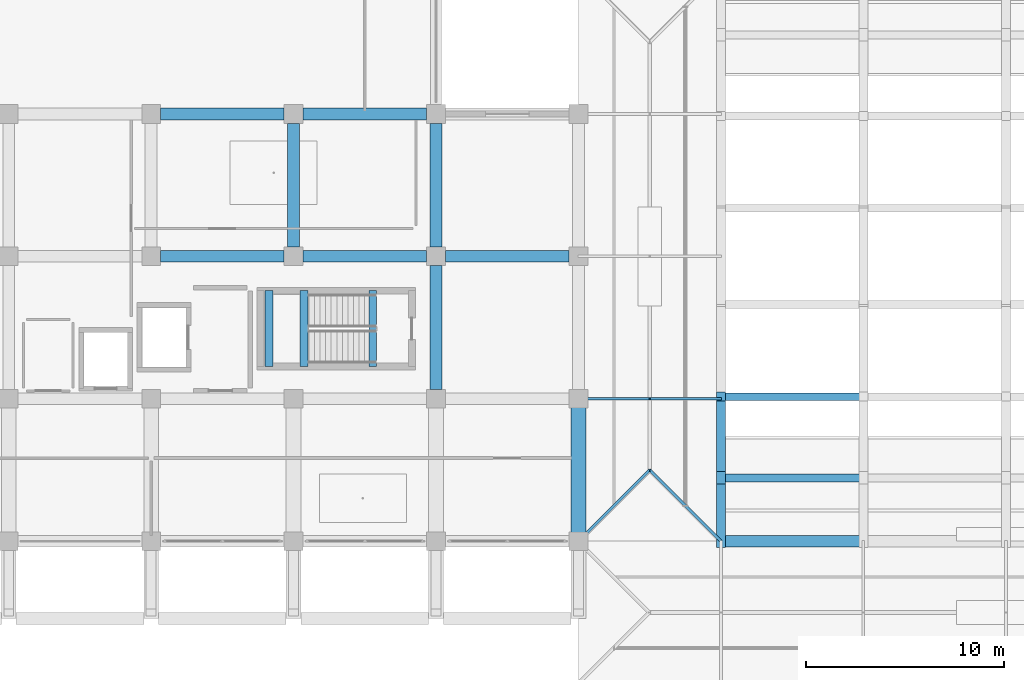
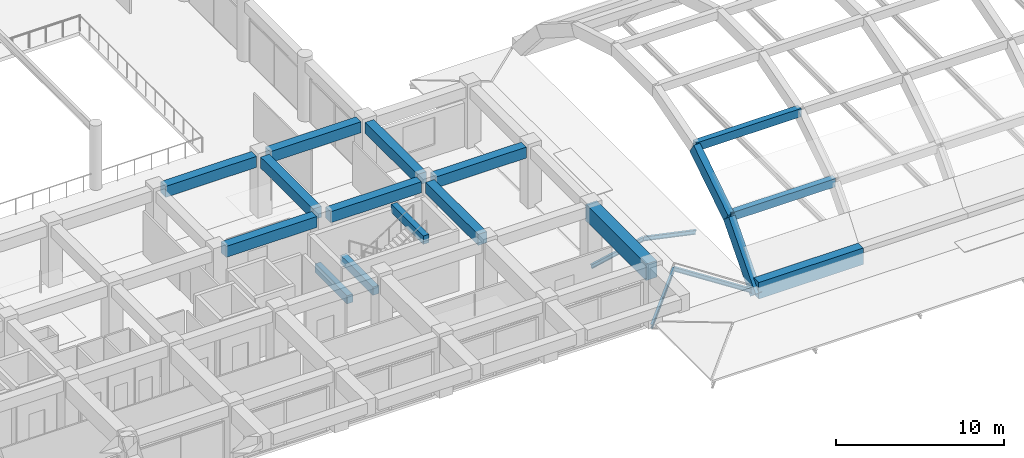
# One storey, part 19 of 54: 17 beams, 4 members.
"""IFC4 building model written with IfcOpenShell, lengths in metres."""

from ifc_helpers import new_model, si_unit, direction, frame, origin, origin_2d, place, context, subcontext, project, spatial, rectangle, i_section, extrude, material, material_profile, profile_set, type_object, element, save


model = new_model("IFC4")

# Units and contexts
model_context = context("Model", 3, precision=1e-05, world=origin(), true_north=direction((0.0, 1.0)))
body_context = subcontext(model_context, "Body", "Model", "MODEL_VIEW")
ifc_project = project(units=[si_unit("LENGTHUNIT", "METRE"), si_unit("AREAUNIT", "SQUARE_METRE"), si_unit("VOLUMEUNIT", "CUBIC_METRE"), si_unit("PLANEANGLEUNIT", "RADIAN"), si_unit("MASSUNIT", "GRAM", prefix="KILO")], contexts=[model_context])

# Site, building, storey
site_placement = place(None, origin())
site = spatial("IfcSite", under=ifc_project, at=site_placement, CompositionType="ELEMENT")
building_placement = place(site_placement, origin())
building = spatial("IfcBuilding", under=site, at=building_placement, Name="Kazehaya Institute of Natural Sciences", CompositionType="ELEMENT")
storey_placement = place(building_placement, frame((0.0, 0.0, 10.43994140625)))
storey = spatial("IfcBuildingStorey", under=building, at=storey_placement, Name="L02", CompositionType="ELEMENT", Elevation=10.43994140625)

# Beams
ifc_material_1 = material(Name="Concrete Fc36", Category="concrete")
ifc_material_profile_1 = material_profile(ifc_material_1, rectangle(XDim=0.449951171875, YDim=0.85009765625, at=origin_2d()), Name="RC-450x850")
ifc_profile_set_1 = profile_set([ifc_material_profile_1], Name="Concrete Fc36")
beam_type_1 = type_object("IfcBeamType", Name="BM-AR-450x850", PredefinedType="BEAM", material=ifc_profile_set_1)
beam_1_placement = place(storey_placement, frame((126.60009765625, 14.0, -0.429931640625), z_axis=(0.0, 0.659222645841, 0.751947806175), x_axis=(-1.0, 0.0, 0.0)))
element("IfcBeam", 1, at=beam_1_placement, inside=storey, type_object=beam_type_1, Name="SH-VOL1 transverse arch rib SH-VOL1-RIB-126-01", PredefinedType="BEAM", context=body_context, shape_type="SweptSolid", body=[
    extrude(rectangle(XDim=0.449951171875, YDim=0.85009765625, at=origin_2d()), origin(), (0.0, 0.0, 1.0), 4.8603515625),
])
beam_2_placement = place(storey_placement, frame((126.60009765625, 17.2041015625, 3.224853515625), z_axis=(0.0, 0.843309718495, 0.537427873014), x_axis=(-1.0, 0.0, 0.0)))
element("IfcBeam", 2, at=beam_2_placement, inside=storey, type_object=beam_type_1, Name="SH-VOL1 transverse arch rib SH-VOL1-RIB-126-03", PredefinedType="BEAM", context=body_context, shape_type="SweptSolid", body=[
    extrude(rectangle(XDim=0.449951171875, YDim=0.85009765625, at=origin_2d()), origin(), (0.0, 0.0, 1.0), 4.86083984375),
])
ifc_material_profile_2 = material_profile(ifc_material_1, rectangle(XDim=0.39990234375, YDim=0.60009765625, at=origin_2d()), Name="RC-400x600")
ifc_profile_set_2 = profile_set([ifc_material_profile_2], Name="Concrete Fc36")
beam_type_2 = type_object("IfcBeamType", Name="BM-B-400x600", PredefinedType="BEAM", material=ifc_profile_set_2)
for number, where, z_axis, x_axis, name in (
    (3, (126.60009765625, 17.2041015625, 3.344970703125), (1.0, 0.0, 0.0), (0.0, 1.0, 0.0), "SH-VOL1 longitudinal shell rib 2"),
    (4, (126.60009765625, 21.30322265625, 5.95703125), (1.0, 0.0, 0.0), (0.0, 1.0, 0.0), "SH-VOL1 longitudinal shell rib 4"),
):
    element("IfcBeam", number, at=place(storey_placement, frame(where, z_axis=z_axis, x_axis=x_axis)), inside=storey, type_object=beam_type_2, Name=name, PredefinedType="BEAM", context=body_context, shape_type="SweptSolid", body=[
        extrude(rectangle(XDim=0.39990234375, YDim=0.60009765625, at=origin_2d()), origin(), (0.0, 0.0, 1.0), 7.199951171875),
    ])
for number, where, z_axis, x_axis, name in (
    (5, (109.0, 22.820068359375, 4.380126953125), (0.0, 1.0, 0.0), (-1.0, 0.0, 0.0), "L03 ST-2 stair header trimmer beam"),
    (6, (103.75, 22.820068359375, 1.880126953125), (0.0, 1.0, 0.0), (-1.0, 0.0, 0.0), "L02 ST-2 landing beam 1"),
    (7, (105.530029296875, 22.820068359375, 1.880126953125), (0.0, 1.0, 0.0), (-1.0, 0.0, 0.0), "L02 ST-2 landing beam 2"),
):
    element("IfcBeam", number, at=place(storey_placement, frame(where, z_axis=z_axis, x_axis=x_axis)), inside=storey, type_object=beam_type_2, Name=name, PredefinedType="BEAM", context=body_context, shape_type="SweptSolid", body=[
        extrude(rectangle(XDim=0.39990234375, YDim=0.60009765625, at=origin_2d()), origin(), (0.0, 0.0, 1.0), 3.83984375),
    ])
ifc_material_profile_3 = material_profile(ifc_material_1, rectangle(XDim=0.60009765625, YDim=1.199951171875, at=origin_2d()), Name="RC-600x1200")
ifc_profile_set_3 = profile_set([ifc_material_profile_3], Name="Concrete Fc36")
beam_type_3 = type_object("IfcBeamType", Name="BM-EB-600x1200", PredefinedType="BEAM", material=ifc_profile_set_3)
beam_3_placement = place(storey_placement, frame((126.60009765625, 14.0, 0.0), z_axis=(1.0, 0.0, 0.0), x_axis=(0.0, 1.0, 0.0)))
element("IfcBeam", 8, at=beam_3_placement, inside=storey, type_object=beam_type_3, Name="SH-VOL1 centroidal shell edge beam SH-VOL1-EB-S-2214", PredefinedType="BEAM", context=body_context, shape_type="SweptSolid", body=[
    extrude(rectangle(XDim=0.60009765625, YDim=1.199951171875, at=origin_2d()), origin(), (0.0, 0.0, 1.0), 7.199951171875),
])
ifc_material_profile_4 = material_profile(ifc_material_1, rectangle(XDim=0.60009765625, YDim=0.800048828125, at=origin_2d()), Name="RC-600x800")
ifc_profile_set_4 = profile_set([ifc_material_profile_4], Name="Concrete Fc36")
beam_type_4 = type_object("IfcBeamType", Name="BM-G-600x800", PredefinedType="BEAM", material=ifc_profile_set_4)
for number, where, z_axis, x_axis, name in (
    (9, (98.27490234375, 28.39990234375, 4.010009765625), (1.0, 0.0, 0.0), (0.0, 1.0, 0.0), "L02 primary X girder BMX-L02-978-284"),
    (10, (105.47509765625, 28.39990234375, 4.010009765625), (1.0, 0.0, 0.0), (0.0, 1.0, 0.0), "L02 primary X girder BMX-L02-1050-284"),
    (11, (112.675048828125, 28.39990234375, 4.010009765625), (1.0, 0.0, 0.0), (0.0, 1.0, 0.0), "L02 primary X girder BMX-L02-1122-284"),
    (12, (98.27490234375, 35.60009765625, 4.010009765625), (1.0, 0.0, 0.0), (0.0, 1.0, 0.0), "L02 primary X girder BMX-L02-978-356"),
    (13, (105.47509765625, 35.60009765625, 4.010009765625), (1.0, 0.0, 0.0), (0.0, 1.0, 0.0), "L02 primary X girder BMX-L02-1050-356"),
    (14, (105.0, 28.875, 4.010009765625), (0.0, 1.0, 0.0), (-1.0, 0.0, 0.0), "L02 primary Y girder BMY-L02-1050-284"),
    (15, (112.199951171875, 21.675048828125, 4.010009765625), (0.0, 1.0, 0.0), (-1.0, 0.0, 0.0), "L02 primary Y girder BMY-L02-1122-212"),
    (16, (112.199951171875, 28.875, 4.010009765625), (0.0, 1.0, 0.0), (-1.0, 0.0, 0.0), "L02 primary Y girder BMY-L02-1122-284"),
):
    element("IfcBeam", number, at=place(storey_placement, frame(where, z_axis=z_axis, x_axis=x_axis)), inside=storey, type_object=beam_type_4, Name=name, PredefinedType="BEAM", context=body_context, shape_type="SweptSolid", body=[
        extrude(rectangle(XDim=0.60009765625, YDim=0.800048828125, at=origin_2d()), origin(), (0.0, 0.0, 1.0), 6.25),
    ])
ifc_material_2 = material(Name="Concrete Fc42", Category="concrete")
ifc_material_profile_5 = material_profile(ifc_material_2, rectangle(XDim=0.75, YDim=1.199951171875, at=origin_2d()), Name="RC-750x1200")
ifc_profile_set_5 = profile_set([ifc_material_profile_5], Name="Concrete Fc42")
beam_type_5 = type_object("IfcBeamType", Name="BM-TG-750x1200", PredefinedType="BEAM", material=ifc_profile_set_5)
beam_4_placement = place(storey_placement, frame((119.39990234375, 14.0, 3.81005859375), z_axis=(0.0, 1.0, 0.0), x_axis=(-1.0, 0.0, 0.0)))
element("IfcBeam", 17, at=beam_4_placement, inside=storey, type_object=beam_type_5, Name="L02 transfer girder back-span 1280", PredefinedType="BEAM", context=body_context, shape_type="SweptSolid", body=[
    extrude(rectangle(XDim=0.75, YDim=1.199951171875, at=origin_2d()), origin(), (0.0, 0.0, 1.0), 7.199951171875),
])

# Members
ifc_material_3 = material(Name="Structural steel SN490B", Category="steel")
ifc_material_profile_6 = material_profile(ifc_material_3, i_section(OverallWidth=0.14990234375, OverallDepth=0.300048828125, WebThickness=0.006591796875, FlangeThickness=0.009033203125, FilletRadius=0.012939453125, at=origin_2d()), Name="H-300x150x6.5x9")
ifc_profile_set_6 = profile_set([ifc_material_profile_6], Name="Structural steel SN490B")
member_type = type_object("IfcMemberType", Name="MEM-RAF-H300", PredefinedType="RAFTER", material=ifc_profile_set_6)
for number, where, z_axis, x_axis, name in (
    (18, (119.39990234375, 14.0, -0.25), (0.699195307823, 0.699195307823, 0.149170516643), (-0.707106781187, 0.707106781187, 0.0), "ROOF-VOL1-LINK corner hip rafter SW"),
    (19, (126.60009765625, 14.0, -0.25), (-0.699195307823, 0.699195307823, 0.149170516643), (-0.707106781187, -0.707106781187, 0.0), "ROOF-VOL1-LINK corner hip rafter SE"),
):
    element("IfcMember", number, at=place(storey_placement, frame(where, z_axis=z_axis, x_axis=x_axis)), inside=storey, type_object=member_type, Name=name, PredefinedType="RAFTER", context=body_context, shape_type="SweptSolid", body=[
        extrude(i_section(OverallWidth=0.14990234375, OverallDepth=0.300048828125, WebThickness=0.006591796875, FlangeThickness=0.009033203125, FilletRadius=0.012939453125, at=origin_2d()), origin(), (0.0, 0.0, 1.0), 5.14892578125),
    ])
for number, where, z_axis, x_axis, name in (
    (20, (119.39990234375, 21.199951171875, -0.25), (0.977990310214, 0.0, 0.20865031303), (0.0, 1.0, 0.0), "ROOF-VOL1-LINK roof truss rafter 31"),
    (21, (126.60009765625, 21.199951171875, -0.25), (-0.977990310214, 0.0, 0.20865031303), (0.0, -1.0, 0.0), "ROOF-VOL1-LINK roof truss rafter 32"),
):
    element("IfcMember", number, at=place(storey_placement, frame(where, z_axis=z_axis, x_axis=x_axis)), inside=storey, type_object=member_type, Name=name, PredefinedType="RAFTER", context=body_context, shape_type="SweptSolid", body=[
        extrude(i_section(OverallWidth=0.14990234375, OverallDepth=0.300048828125, WebThickness=0.006591796875, FlangeThickness=0.009033203125, FilletRadius=0.012939453125, at=origin_2d()), origin(), (0.0, 0.0, 1.0), 3.68115234375),
    ])

save(model, "model.ifc")
